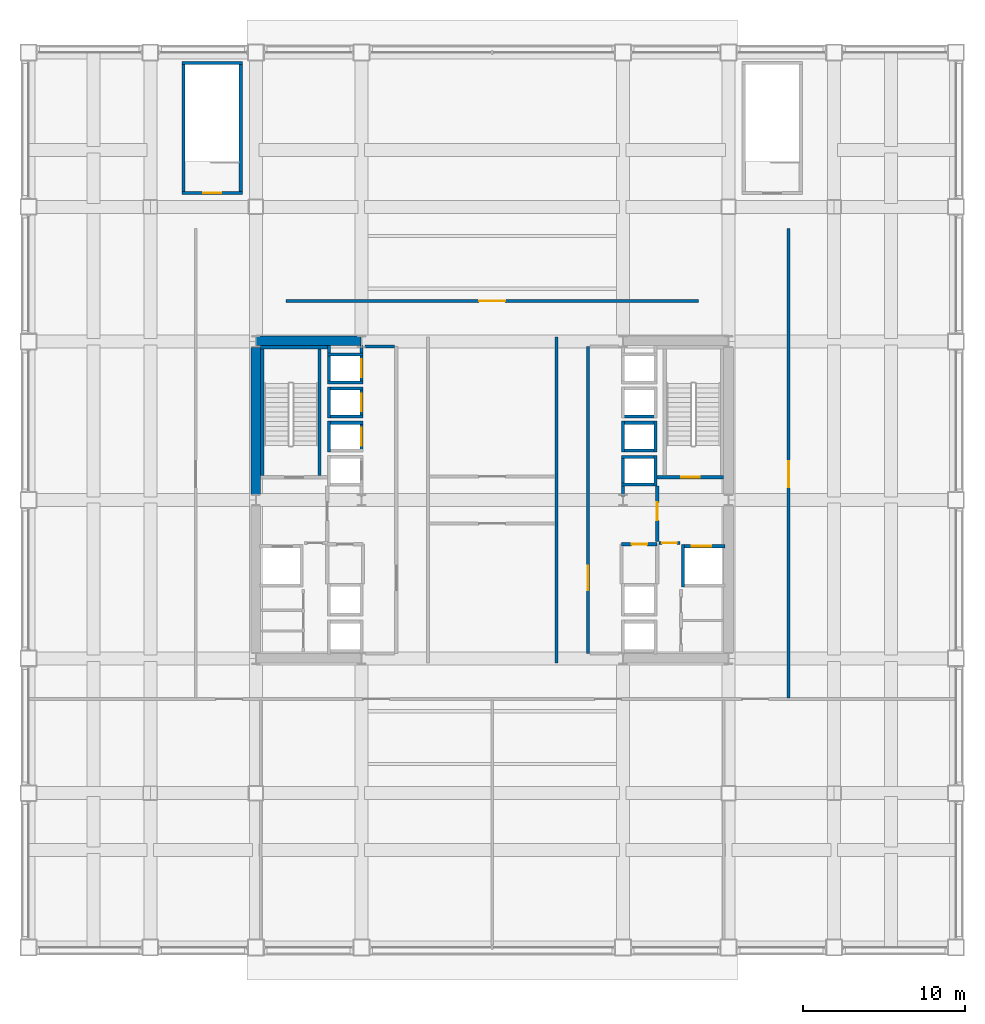
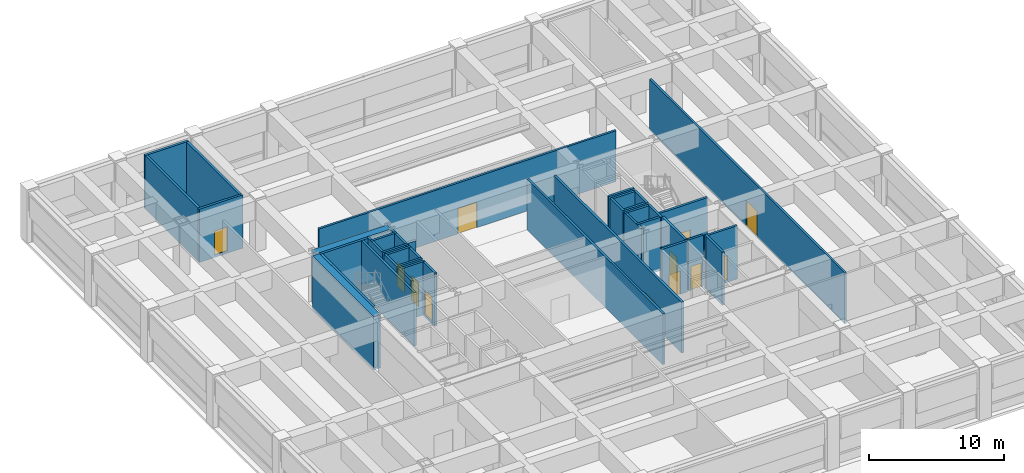
# One storey, part 28 of 30: 40 walls, 12 doors, 12 openings.
"""IFC4 building model written with IfcOpenShell, lengths in metres."""

from ifc_helpers import new_model, si_unit, direction, frame, frame_2d, origin, place, context, subcontext, project, spatial, rectangle, extrude, material, layer, layer_set, type_object, element, fill, save


model = new_model("IFC4")

# Units and contexts
model_context = context("Model", 3, precision=1e-05, world=origin(), true_north=direction((0.0, 1.0)))
body_context = subcontext(model_context, "Body", "Model", "MODEL_VIEW")
ifc_project = project(units=[si_unit("LENGTHUNIT", "METRE"), si_unit("AREAUNIT", "SQUARE_METRE"), si_unit("VOLUMEUNIT", "CUBIC_METRE"), si_unit("PLANEANGLEUNIT", "RADIAN"), si_unit("MASSUNIT", "GRAM", prefix="KILO")], contexts=[model_context])

# Site, building, storey
site_placement = place(None, origin())
site = spatial("IfcSite", under=ifc_project, at=site_placement, CompositionType="ELEMENT")
building_placement = place(site_placement, origin())
building = spatial("IfcBuilding", under=site, at=building_placement, Name="Brelmoor Portico Tower", CompositionType="ELEMENT")
storey_placement = place(building_placement, frame((0.0, 0.0, 19.199951171875)))
storey = spatial("IfcBuildingStorey", under=building, at=storey_placement, Name="L04", CompositionType="ELEMENT", Elevation=19.199951171875)

# Walls
ifc_material_1 = material(Name="Concrete C60", Category="concrete")
ifc_layer_1 = layer(ifc_material_1, 0.60009765625)
ifc_layer_set_1 = layer_set([ifc_layer_1], Name="Concrete C60")
wall_type_1 = type_object("IfcWallType", Name="WL-CORE-600", PredefinedType="SHEAR", material=ifc_layer_set_1)
wall_1_placement = place(storey_placement, frame((-14.530029296875, 9.800048828125, -0.219970703125), z_axis=(0.0, 0.0, 1.0), x_axis=(1.0, 0.0, 0.0)))
element("IfcWall", 1, at=wall_1_placement, inside=storey, type_object=wall_type_1, Name="L04 WC North Shear Wall", PredefinedType="SHEAR", context=body_context, shape_type="SweptSolid", body=[
    extrude(rectangle(XDim=6.4599609375, YDim=0.60009765625, at=frame_2d((3.22998046875, 0.0))), origin(), (0.0, 0.0, 1.0), 4.820068359375),
])
wall_2_placement = place(storey_placement, frame((-14.550048828125, 0.35009765625, -0.219970703125), z_axis=(0.0, 0.0, 1.0), x_axis=(0.0, 1.0, 0.0)))
element("IfcWall", 2, at=wall_2_placement, inside=storey, type_object=wall_type_1, Name="L04 WC Outer North Shear Wall", PredefinedType="SHEAR", context=body_context, shape_type="SweptSolid", body=[
    extrude(rectangle(XDim=9.0498046875, YDim=0.60009765625, at=frame_2d((4.52490234375, 0.0))), origin(), (0.0, 0.0, 1.0), 4.820068359375),
])
ifc_material_2 = material(Name="Acoustic Corridor Fire Partition", Category="gypsum")
ifc_layer_2 = layer(ifc_material_2, 0.179931640625)
ifc_layer_set_2 = layer_set([ifc_layer_2], Name="Acoustic Corridor Fire Partition")
wall_type_2 = type_object("IfcWallType", Name="WL-PART-180", PredefinedType="PARTITIONING", material=ifc_layer_set_2)
wall_3_placement = place(storey_placement, frame((3.949951171875, -10.050048828125, 0.0), z_axis=(0.0, 0.0, 1.0), x_axis=(0.0, 1.0, 0.0)))
element("IfcWall", 3, at=wall_3_placement, inside=storey, type_object=wall_type_2, Name="L04 Central Hall East Wall", PredefinedType="PARTITIONING", context=body_context, shape_type="SweptSolid", body=[
    extrude(rectangle(XDim=20.10009765625, YDim=0.179931640625, at=frame_2d((10.050048828125, 0.0))), origin(), (0.0, 0.0, 1.0), 4.60009765625),
])

# Wall, opening, door
wall_4_placement = place(storey_placement, frame((-12.699951171875, 12.25, 0.0), z_axis=(0.0, 0.0, 1.0), x_axis=(1.0, 0.0, 0.0)))
wall_4 = element("IfcWall", 4, at=wall_4_placement, inside=storey, type_object=wall_type_2, Name="L04 North Bridge Exhibition Wall", PredefinedType="PARTITIONING", context=body_context, shape_type="SweptSolid", body=[
    extrude(rectangle(XDim=25.39990234375, YDim=0.179931640625, at=frame_2d((12.699951171875, 0.0))), origin(), (0.0, 0.0, 1.0), 4.60009765625),
])
opening_1_placement = place(wall_4_placement, frame((11.89990234375, 0.0, 0.0)))
opening_1 = element("IfcOpeningElement", 5, at=opening_1_placement, cuts=wall_4, Name="Opening D-PB1", PredefinedType="OPENING", context=body_context, shape_type="SweptSolid", body=[
    extrude(rectangle(XDim=1.60009765625, YDim=2.300048828125, at=frame_2d((0.800048828125, 1.14990234375))), frame((0.0, 0.099853515625, 0.0), z_axis=(0.0, -1.0, 0.0), x_axis=(1.0, 0.0, 0.0)), (0.0, 0.0, 1.0), 0.199951171875),
])
ifc_material_3 = material(Name="Double-Leaf Anodised Aluminium Hall Door", Category="aluminium")
door_type_1 = type_object("IfcDoorType", Name="DR-PUBLIC-1600", OperationType="NOTDEFINED", PredefinedType="DOOR", material=ifc_material_3)
door_1_placement = place(opening_1_placement, origin())
door_1 = element("IfcDoor", 6, at=door_1_placement, inside=storey, type_object=door_type_1, Name="D-0198 L04 Public Exhibition Studio Door", OperationType="DOUBLE_DOOR_SINGLE_SWING", OverallHeight=2.300048828125, OverallWidth=1.60009765625, PredefinedType="DOOR", context=body_context, shape_type="SweptSolid", body=[
    extrude(rectangle(XDim=1.60009765625, YDim=2.300048828125, at=frame_2d((0.800048828125, 1.14990234375))), frame((0.0, 0.02490234375, 0.0), z_axis=(0.0, -1.0, 0.0), x_axis=(1.0, 0.0, 0.0)), (0.0, 0.0, 1.0), 0.050048828125),
])
fill(opening_1, door_1)

wall_5_placement = place(storey_placement, frame((18.25, -12.199951171875, 0.0), z_axis=(0.0, 0.0, 1.0), x_axis=(0.0, 1.0, 0.0)))
wall_5 = element("IfcWall", 7, at=wall_5_placement, inside=storey, type_object=wall_type_2, Name="L04 E Bridge Wing Wall", PredefinedType="PARTITIONING", context=body_context, shape_type="SweptSolid", body=[
    extrude(rectangle(XDim=28.89990234375, YDim=0.179931640625, at=frame_2d((14.449951171875, 0.0))), origin(), (0.0, 0.0, 1.0), 4.60009765625),
])
opening_2_placement = place(wall_5_placement, frame((13.0, 0.0, 0.0)))
opening_2 = element("IfcOpeningElement", 8, at=opening_2_placement, cuts=wall_5, Name="Opening D-PB1", PredefinedType="OPENING", context=body_context, shape_type="SweptSolid", body=[
    extrude(rectangle(XDim=1.60009765625, YDim=2.300048828125, at=frame_2d((0.800048828125, 1.14990234375))), frame((0.0, 0.099853515625, 0.0), z_axis=(0.0, -1.0, 0.0), x_axis=(1.0, 0.0, 0.0)), (0.0, 0.0, 1.0), 0.199951171875),
])
door_2_placement = place(opening_2_placement, origin())
door_2 = element("IfcDoor", 9, at=door_2_placement, inside=storey, type_object=door_type_1, Name="D-0203 L04 E Engineering Studio Door", OperationType="DOUBLE_DOOR_SINGLE_SWING", OverallHeight=2.300048828125, OverallWidth=1.60009765625, PredefinedType="DOOR", context=body_context, shape_type="SweptSolid", body=[
    extrude(rectangle(XDim=1.60009765625, YDim=2.300048828125, at=frame_2d((0.800048828125, 1.14990234375))), frame((0.0, 0.02490234375, 0.0), z_axis=(0.0, -1.0, 0.0), x_axis=(1.0, 0.0, 0.0)), (0.0, 0.0, 1.0), 0.050048828125),
])
fill(opening_2, door_2)

# Wall
ifc_material_4 = material(Name="Double-Stud Gypsum Fire Partition", Category="gypsum")
ifc_layer_3 = layer(ifc_material_4, 0.199951171875)
ifc_layer_set_3 = layer_set([ifc_layer_3], Name="Double-Stud Gypsum Fire Partition")
wall_type_3 = type_object("IfcWallType", Name="WL-PART-200", PredefinedType="PARTITIONING", material=ifc_layer_set_3)
wall_6_placement = place(storey_placement, frame((-6.02001953125, 9.449951171875, 0.0), z_axis=(0.0, 0.0, 1.0), x_axis=(-1.0, 0.0, 0.0)))
element("IfcWall", 10, at=wall_6_placement, inside=storey, type_object=wall_type_3, Name="L04 W Lift Lobby North End Wall", PredefinedType="PARTITIONING", context=body_context, shape_type="SweptSolid", body=[
    extrude(rectangle(XDim=1.800048828125, YDim=0.199951171875, at=frame_2d((0.89990234375, 0.0))), origin(), (0.0, 0.0, 1.0), 2.920166015625),
])

# Wall, opening, door
wall_7_placement = place(storey_placement, frame((5.89990234375, -9.449951171875, 0.0), z_axis=(0.0, 0.0, 1.0), x_axis=(0.0, 1.0, 0.0)))
wall_7 = element("IfcWall", 11, at=wall_7_placement, inside=storey, type_object=wall_type_3, Name="L04 E Core Lobby Compartment Wall", PredefinedType="PARTITIONING", context=body_context, shape_type="SweptSolid", body=[
    extrude(rectangle(XDim=18.89990234375, YDim=0.199951171875, at=frame_2d((9.449951171875, 0.0))), origin(), (0.0, 0.0, 1.0), 4.60009765625),
])
opening_3_placement = place(wall_7_placement, frame((3.89990234375, 0.0, 0.0)))
opening_3 = element("IfcOpeningElement", 12, at=opening_3_placement, cuts=wall_7, Name="Opening D-LB1", PredefinedType="OPENING", context=body_context, shape_type="SweptSolid", body=[
    extrude(rectangle(XDim=1.5, YDim=2.199951171875, at=frame_2d((0.75, 1.10009765625))), frame((0.0, 0.10986328125, 0.0), z_axis=(0.0, -1.0, 0.0), x_axis=(1.0, 0.0, 0.0)), (0.0, 0.0, 1.0), 0.219970703125),
])
ifc_material_5 = material(Name="Double-Leaf Glazed Steel Fire Door", Category="steel")
door_type_2 = type_object("IfcDoorType", Name="DR-LOBBY-1500", OperationType="NOTDEFINED", PredefinedType="DOOR", material=ifc_material_5)
door_3_placement = place(opening_3_placement, origin())
door_3 = element("IfcDoor", 13, at=door_3_placement, inside=storey, type_object=door_type_2, Name="D-0216 L04 E Lift Lobby Main Door", OperationType="DOUBLE_DOOR_SINGLE_SWING", OverallHeight=2.199951171875, OverallWidth=1.5, PredefinedType="DOOR", context=body_context, shape_type="SweptSolid", body=[
    extrude(rectangle(XDim=1.5, YDim=2.199951171875, at=frame_2d((0.75, 1.10009765625))), frame((0.0, 0.02490234375, 0.0), z_axis=(0.0, -1.0, 0.0), x_axis=(1.0, 0.0, 0.0)), (0.0, 0.0, 1.0), 0.050048828125),
])
fill(opening_3, door_3)

wall_8_placement = place(storey_placement, frame((10.159912109375, -2.550048828125, 0.0), z_axis=(0.0, 0.0, 1.0), x_axis=(0.0, 1.0, 0.0)))
wall_8 = element("IfcWall", 14, at=wall_8_placement, inside=storey, type_object=wall_type_3, Name="L04 E Firefighting Lobby Wall", PredefinedType="PARTITIONING", context=body_context, shape_type="SweptSolid", body=[
    extrude(rectangle(XDim=3.400146484375, YDim=0.199951171875, at=frame_2d((1.7001953125, 0.0))), origin(), (0.0, 0.0, 1.0), 4.60009765625),
])
opening_4_placement = place(wall_8_placement, frame((1.300048828125, 0.0, 0.0)))
opening_4 = element("IfcOpeningElement", 15, at=opening_4_placement, cuts=wall_8, Name="Opening D-FR1", PredefinedType="OPENING", context=body_context, shape_type="SweptSolid", body=[
    extrude(rectangle(XDim=1.10009765625, YDim=2.14990234375, at=frame_2d((0.550048828125, 1.074951171875))), frame((0.0, 0.10986328125, 0.0), z_axis=(0.0, -1.0, 0.0), x_axis=(1.0, 0.0, 0.0)), (0.0, 0.0, 1.0), 0.219970703125),
])
ifc_material_6 = material(Name="Painted Galvanised Steel Fire Door", Category="steel")
door_type_3 = type_object("IfcDoorType", Name="DR-FIRE-1100", OperationType="NOTDEFINED", PredefinedType="DOOR", material=ifc_material_6)
door_4_placement = place(opening_4_placement, origin())
door_4 = element("IfcDoor", 16, at=door_4_placement, inside=storey, type_object=door_type_3, Name="D-0214 L04 E Firefighting Lobby Door", OperationType="SINGLE_SWING_LEFT", OverallHeight=2.14990234375, OverallWidth=1.10009765625, PredefinedType="DOOR", context=body_context, shape_type="SweptSolid", body=[
    extrude(rectangle(XDim=1.10009765625, YDim=2.14990234375, at=frame_2d((0.550048828125, 1.074951171875))), frame((0.0, 0.02490234375, 0.0), z_axis=(0.0, -1.0, 0.0), x_axis=(1.0, 0.0, 0.0)), (0.0, 0.0, 1.0), 0.050048828125),
])
fill(opening_4, door_4)

wall_9_placement = place(storey_placement, frame((10.280029296875, -2.64990234375, 0.0), z_axis=(0.0, 0.0, 1.0), x_axis=(1.0, 0.0, 0.0)))
wall_9 = element("IfcWall", 17, at=wall_9_placement, inside=storey, type_object=wall_type_3, Name="L04 E Firefighting Lobby South Wall", PredefinedType="PARTITIONING", context=body_context, shape_type="SweptSolid", body=[
    extrude(rectangle(XDim=1.27001953125, YDim=0.199951171875, at=frame_2d((0.635009765625, 0.0))), origin(), (0.0, 0.0, 1.0), 4.60009765625),
])
opening_5_placement = place(wall_9_placement, frame((0.18505859375, 0.0, 0.0)))
opening_5 = element("IfcOpeningElement", 18, at=opening_5_placement, cuts=wall_9, Name="Opening D-IN1", PredefinedType="OPENING", context=body_context, shape_type="SweptSolid", body=[
    extrude(rectangle(XDim=0.89990234375, YDim=2.14990234375, at=frame_2d((0.449951171875, 1.074951171875))), frame((0.0, 0.10986328125, 0.0), z_axis=(0.0, -1.0, 0.0), x_axis=(1.0, 0.0, 0.0)), (0.0, 0.0, 1.0), 0.219970703125),
])
ifc_material_7 = material(Name="Lacquered Timber Suite Door", Category="wood")
door_type_4 = type_object("IfcDoorType", Name="DR-INT-900", OperationType="NOTDEFINED", PredefinedType="DOOR", material=ifc_material_7)
door_5_placement = place(opening_5_placement, origin())
door_5 = element("IfcDoor", 19, at=door_5_placement, inside=storey, type_object=door_type_4, Name="D-0207 L04 E Core Service Vestibule Door", OperationType="SINGLE_SWING_RIGHT", OverallHeight=2.14990234375, OverallWidth=0.89990234375, PredefinedType="DOOR", context=body_context, shape_type="SweptSolid", body=[
    extrude(rectangle(XDim=0.89990234375, YDim=2.14990234375, at=frame_2d((0.449951171875, 1.074951171875))), frame((0.0, 0.02490234375, 0.0), z_axis=(0.0, -1.0, 0.0), x_axis=(1.0, 0.0, 0.0)), (0.0, 0.0, 1.0), 0.050048828125),
])
fill(opening_5, door_5)

wall_10_placement = place(storey_placement, frame((7.9599609375, -2.719970703125, 0.0), z_axis=(0.0, 0.0, 1.0), x_axis=(1.0, 0.0, 0.0)))
wall_10 = element("IfcWall", 20, at=wall_10_placement, inside=storey, type_object=wall_type_3, Name="L04 E Electrical Switchgear Closet Wall", PredefinedType="PARTITIONING", context=body_context, shape_type="SweptSolid", body=[
    extrude(rectangle(XDim=2.199951171875, YDim=0.199951171875, at=frame_2d((1.10009765625, 0.0))), origin(), (0.0, 0.0, 1.0), 4.60009765625),
])
opening_6_placement = place(wall_10_placement, frame((0.6201171875, 0.0, 0.0)))
opening_6 = element("IfcOpeningElement", 21, at=opening_6_placement, cuts=wall_10, Name="Opening D-FR4", PredefinedType="OPENING", context=body_context, shape_type="SweptSolid", body=[
    extrude(rectangle(XDim=0.949951171875, YDim=2.10009765625, at=frame_2d((0.47509765625, 1.050048828125))), frame((0.0, 0.10986328125, 0.0), z_axis=(0.0, -1.0, 0.0), x_axis=(1.0, 0.0, 0.0)), (0.0, 0.0, 1.0), 0.219970703125),
])
ifc_material_8 = material(Name="Painted Galvanised Steel Riser Door", Category="steel")
door_type_5 = type_object("IfcDoorType", Name="DR-FIRE-950", OperationType="NOTDEFINED", PredefinedType="DOOR", material=ifc_material_8)
door_6_placement = place(opening_6_placement, origin())
door_6 = element("IfcDoor", 22, at=door_6_placement, inside=storey, type_object=door_type_5, Name="D-0212 L04 E Electrical Switchgear Closet Door", OperationType="SINGLE_SWING_LEFT", OverallHeight=2.10009765625, OverallWidth=0.949951171875, PredefinedType="DOOR", context=body_context, shape_type="SweptSolid", body=[
    extrude(rectangle(XDim=0.949951171875, YDim=2.10009765625, at=frame_2d((0.47509765625, 1.050048828125))), frame((0.0, 0.02490234375, 0.0), z_axis=(0.0, -1.0, 0.0), x_axis=(1.0, 0.0, 0.0)), (0.0, 0.0, 1.0), 0.050048828125),
])
fill(opening_6, door_6)

ifc_material_9 = material(Name="Precast Concrete C40", Category="concrete")
ifc_layer_4 = layer(ifc_material_9, 0.18994140625)
ifc_layer_set_4 = layer_set([ifc_layer_4], Name="Precast Concrete C40")
wall_type_4 = type_object("IfcWallType", Name="WL-SHAFT-180", PredefinedType="SOLIDWALL", material=ifc_layer_set_4)
wall_11_placement = place(storey_placement, frame((-8.044921875, 2.949951171875, -0.219970703125), z_axis=(0.0, 0.0, 1.0), x_axis=(0.0, 1.0, 0.0)))
wall_11 = element("IfcWall", 23, at=wall_11_placement, inside=storey, type_object=wall_type_4, Name="L04 Lift PL2 Hoistway Front Wall", PredefinedType="SOLIDWALL", context=body_context, shape_type="SweptSolid", body=[
    extrude(rectangle(XDim=1.900146484375, YDim=0.18994140625, at=frame_2d((0.9501953125, 0.0))), origin(), (0.0, 0.0, 1.0), 4.820068359375),
])
opening_7_placement = place(wall_11_placement, frame((0.39990234375, 0.0, 0.219970703125)))
opening_7 = element("IfcOpeningElement", 24, at=opening_7_placement, cuts=wall_11, Name="Opening LD-01", PredefinedType="OPENING", context=body_context, shape_type="SweptSolid", body=[
    extrude(rectangle(XDim=1.10009765625, YDim=2.199951171875, at=frame_2d((0.550048828125, 1.10009765625))), frame((0.0, 0.10498046875, 0.0), z_axis=(0.0, -1.0, 0.0), x_axis=(1.0, 0.0, 0.0)), (0.0, 0.0, 1.0), 0.2099609375),
])
ifc_material_10 = material(Name="Brushed Stainless Steel Sliding Lift Door", Category="steel")
door_type_6 = type_object("IfcDoorType", Name="DR-LIFT-1100", OperationType="NOTDEFINED", PredefinedType="DOOR", material=ifc_material_10)
door_7_placement = place(opening_7_placement, origin())
door_7 = element("IfcDoor", 25, at=door_7_placement, inside=storey, type_object=door_type_6, Name="D-0225 L04 Lift PL2 Sliding Landing Door", OperationType="SLIDING_TO_LEFT", OverallHeight=2.199951171875, OverallWidth=1.10009765625, PredefinedType="DOOR", context=body_context, shape_type="SweptSolid", body=[
    extrude(rectangle(XDim=1.10009765625, YDim=2.199951171875, at=frame_2d((0.550048828125, 1.10009765625))), frame((0.0, 0.02490234375, 0.0), z_axis=(0.0, -1.0, 0.0), x_axis=(1.0, 0.0, 0.0)), (0.0, 0.0, 1.0), 0.050048828125),
])
fill(opening_7, door_7)

# Walls
wall_12_placement = place(storey_placement, frame((-10.054931640625, 2.949951171875, -0.219970703125), z_axis=(0.0, 0.0, 1.0), x_axis=(0.0, 1.0, 0.0)))
element("IfcWall", 26, at=wall_12_placement, inside=storey, type_object=wall_type_4, Name="L04 Lift PL2 Hoistway Back Wall", PredefinedType="SOLIDWALL", context=body_context, shape_type="SweptSolid", body=[
    extrude(rectangle(XDim=1.900146484375, YDim=0.18994140625, at=frame_2d((0.9501953125, 0.0))), origin(), (0.0, 0.0, 1.0), 4.820068359375),
])
wall_13_placement = place(storey_placement, frame((-10.14990234375, 4.7548828125, -0.219970703125), z_axis=(0.0, 0.0, 1.0), x_axis=(1.0, 0.0, 0.0)))
element("IfcWall", 27, at=wall_13_placement, inside=storey, type_object=wall_type_4, Name="L04 Lift PL2 Hoistway North Wall", PredefinedType="SOLIDWALL", context=body_context, shape_type="SweptSolid", body=[
    extrude(rectangle(XDim=2.199951171875, YDim=0.18994140625, at=frame_2d((1.10009765625, 0.0))), origin(), (0.0, 0.0, 1.0), 4.820068359375),
])

# Wall, opening, door
wall_14_placement = place(storey_placement, frame((-8.044921875, 5.050048828125, -0.219970703125), z_axis=(0.0, 0.0, 1.0), x_axis=(0.0, 1.0, 0.0)))
wall_14 = element("IfcWall", 28, at=wall_14_placement, inside=storey, type_object=wall_type_4, Name="L04 Lift PL3 Hoistway Front Wall", PredefinedType="SOLIDWALL", context=body_context, shape_type="SweptSolid", body=[
    extrude(rectangle(XDim=1.89990234375, YDim=0.18994140625, at=frame_2d((0.949951171875, 0.0))), origin(), (0.0, 0.0, 1.0), 4.820068359375),
])
opening_8_placement = place(wall_14_placement, frame((0.39990234375, 0.0, 0.219970703125)))
opening_8 = element("IfcOpeningElement", 29, at=opening_8_placement, cuts=wall_14, Name="Opening LD-01", PredefinedType="OPENING", context=body_context, shape_type="SweptSolid", body=[
    extrude(rectangle(XDim=1.10009765625, YDim=2.199951171875, at=frame_2d((0.550048828125, 1.10009765625))), frame((0.0, 0.10498046875, 0.0), z_axis=(0.0, -1.0, 0.0), x_axis=(1.0, 0.0, 0.0)), (0.0, 0.0, 1.0), 0.2099609375),
])
door_8_placement = place(opening_8_placement, origin())
door_8 = element("IfcDoor", 30, at=door_8_placement, inside=storey, type_object=door_type_6, Name="D-0226 L04 Lift PL3 Sliding Landing Door", OperationType="SLIDING_TO_LEFT", OverallHeight=2.199951171875, OverallWidth=1.10009765625, PredefinedType="DOOR", context=body_context, shape_type="SweptSolid", body=[
    extrude(rectangle(XDim=1.10009765625, YDim=2.199951171875, at=frame_2d((0.550048828125, 1.10009765625))), frame((0.0, 0.02490234375, 0.0), z_axis=(0.0, -1.0, 0.0), x_axis=(1.0, 0.0, 0.0)), (0.0, 0.0, 1.0), 0.050048828125),
])
fill(opening_8, door_8)

# Walls
wall_15_placement = place(storey_placement, frame((-10.054931640625, 5.050048828125, -0.219970703125), z_axis=(0.0, 0.0, 1.0), x_axis=(0.0, 1.0, 0.0)))
element("IfcWall", 31, at=wall_15_placement, inside=storey, type_object=wall_type_4, Name="L04 Lift PL3 Hoistway Back Wall", PredefinedType="SOLIDWALL", context=body_context, shape_type="SweptSolid", body=[
    extrude(rectangle(XDim=1.89990234375, YDim=0.18994140625, at=frame_2d((0.949951171875, 0.0))), origin(), (0.0, 0.0, 1.0), 4.820068359375),
])
for number, where, z_axis, x_axis, name in (
    (32, (-10.14990234375, 6.85498046875, -0.219970703125), (0.0, 0.0, 1.0), (1.0, 0.0, 0.0), "L04 Lift PL3 Hoistway North Wall"),
    (33, (-10.14990234375, 5.14501953125, -0.219970703125), (0.0, 0.0, 1.0), (1.0, 0.0, 0.0), "L04 Lift PL3 Hoistway South Wall"),
):
    element("IfcWall", number, at=place(storey_placement, frame(where, z_axis=z_axis, x_axis=x_axis)), inside=storey, type_object=wall_type_4, Name=name, PredefinedType="SOLIDWALL", context=body_context, shape_type="SweptSolid", body=[
        extrude(rectangle(XDim=2.199951171875, YDim=0.18994140625, at=frame_2d((1.10009765625, 0.0))), origin(), (0.0, 0.0, 1.0), 4.820068359375),
    ])

# Wall, opening, door
wall_16_placement = place(storey_placement, frame((-8.044921875, 7.14990234375, -0.219970703125), z_axis=(0.0, 0.0, 1.0), x_axis=(0.0, 1.0, 0.0)))
wall_16 = element("IfcWall", 34, at=wall_16_placement, inside=storey, type_object=wall_type_4, Name="L04 Lift PL4 Hoistway Front Wall", PredefinedType="SOLIDWALL", context=body_context, shape_type="SweptSolid", body=[
    extrude(rectangle(XDim=2.3701171875, YDim=0.18994140625, at=frame_2d((1.18505859375, 0.0))), origin(), (0.0, 0.0, 1.0), 4.820068359375),
])
opening_9_placement = place(wall_16_placement, frame((0.39990234375, 0.0, 0.219970703125)))
opening_9 = element("IfcOpeningElement", 35, at=opening_9_placement, cuts=wall_16, Name="Opening LD-01", PredefinedType="OPENING", context=body_context, shape_type="SweptSolid", body=[
    extrude(rectangle(XDim=1.10009765625, YDim=2.199951171875, at=frame_2d((0.550048828125, 1.10009765625))), frame((0.0, 0.10498046875, 0.0), z_axis=(0.0, -1.0, 0.0), x_axis=(1.0, 0.0, 0.0)), (0.0, 0.0, 1.0), 0.2099609375),
])
door_9_placement = place(opening_9_placement, origin())
door_9 = element("IfcDoor", 36, at=door_9_placement, inside=storey, type_object=door_type_6, Name="D-0227 L04 Lift PL4 Sliding Landing Door", OperationType="SLIDING_TO_LEFT", OverallHeight=2.199951171875, OverallWidth=1.10009765625, PredefinedType="DOOR", context=body_context, shape_type="SweptSolid", body=[
    extrude(rectangle(XDim=1.10009765625, YDim=2.199951171875, at=frame_2d((0.550048828125, 1.10009765625))), frame((0.0, 0.02490234375, 0.0), z_axis=(0.0, -1.0, 0.0), x_axis=(1.0, 0.0, 0.0)), (0.0, 0.0, 1.0), 0.050048828125),
])
fill(opening_9, door_9)

# Walls
wall_17_placement = place(storey_placement, frame((-10.054931640625, 7.14990234375, -0.219970703125), z_axis=(0.0, 0.0, 1.0), x_axis=(0.0, 1.0, 0.0)))
element("IfcWall", 37, at=wall_17_placement, inside=storey, type_object=wall_type_4, Name="L04 Lift PL4 Hoistway Back Wall", PredefinedType="SOLIDWALL", context=body_context, shape_type="SweptSolid", body=[
    extrude(rectangle(XDim=2.3701171875, YDim=0.18994140625, at=frame_2d((1.18505859375, 0.0))), origin(), (0.0, 0.0, 1.0), 4.820068359375),
])
for number, where, z_axis, x_axis, name in (
    (38, (-10.14990234375, 8.955078125, -0.219970703125), (0.0, 0.0, 1.0), (1.0, 0.0, 0.0), "L04 Lift PL4 Hoistway North Wall"),
    (39, (-10.14990234375, 7.2451171875, -0.219970703125), (0.0, 0.0, 1.0), (1.0, 0.0, 0.0), "L04 Lift PL4 Hoistway South Wall"),
):
    element("IfcWall", number, at=place(storey_placement, frame(where, z_axis=z_axis, x_axis=x_axis)), inside=storey, type_object=wall_type_4, Name=name, PredefinedType="SOLIDWALL", context=body_context, shape_type="SweptSolid", body=[
        extrude(rectangle(XDim=2.199951171875, YDim=0.18994140625, at=frame_2d((1.10009765625, 0.0))), origin(), (0.0, 0.0, 1.0), 4.820068359375),
    ])
wall_18_placement = place(storey_placement, frame((8.044921875, 0.2099609375, -0.219970703125), z_axis=(0.0, 0.0, 1.0), x_axis=(0.0, 1.0, 0.0)))
element("IfcWall", 40, at=wall_18_placement, inside=storey, type_object=wall_type_4, Name="L04 Lift PM1 Hoistway Front Wall", PredefinedType="SOLIDWALL", context=body_context, shape_type="SweptSolid", body=[
    extrude(rectangle(XDim=2.5400390625, YDim=0.18994140625, at=frame_2d((1.27001953125, 0.0))), origin(), (0.0, 0.0, 1.0), 4.820068359375),
])
wall_19_placement = place(storey_placement, frame((10.054931640625, 0.85009765625, -0.219970703125), z_axis=(0.0, 0.0, 1.0), x_axis=(0.0, 1.0, 0.0)))
element("IfcWall", 41, at=wall_19_placement, inside=storey, type_object=wall_type_4, Name="L04 Lift PM1 Hoistway Back Wall", PredefinedType="SOLIDWALL", context=body_context, shape_type="SweptSolid", body=[
    extrude(rectangle(XDim=1.89990234375, YDim=0.18994140625, at=frame_2d((0.949951171875, 0.0))), origin(), (0.0, 0.0, 1.0), 4.820068359375),
])
for number, where, z_axis, x_axis, name in (
    (42, (7.949951171875, 2.655029296875, -0.219970703125), (0.0, 0.0, 1.0), (1.0, 0.0, 0.0), "L04 Lift PM1 Hoistway North Wall"),
    (43, (7.949951171875, 0.945068359375, -0.219970703125), (0.0, 0.0, 1.0), (1.0, 0.0, 0.0), "L04 Lift PM1 Hoistway South Wall"),
):
    element("IfcWall", number, at=place(storey_placement, frame(where, z_axis=z_axis, x_axis=x_axis)), inside=storey, type_object=wall_type_4, Name=name, PredefinedType="SOLIDWALL", context=body_context, shape_type="SweptSolid", body=[
        extrude(rectangle(XDim=2.199951171875, YDim=0.18994140625, at=frame_2d((1.10009765625, 0.0))), origin(), (0.0, 0.0, 1.0), 4.820068359375),
    ])
for number, where, z_axis, x_axis, name in (
    (44, (8.044921875, 2.949951171875, -0.219970703125), (0.0, 0.0, 1.0), (0.0, 1.0, 0.0), "L04 Lift PM2 Hoistway Front Wall"),
    (45, (10.054931640625, 2.949951171875, -0.219970703125), (0.0, 0.0, 1.0), (0.0, 1.0, 0.0), "L04 Lift PM2 Hoistway Back Wall"),
):
    element("IfcWall", number, at=place(storey_placement, frame(where, z_axis=z_axis, x_axis=x_axis)), inside=storey, type_object=wall_type_4, Name=name, PredefinedType="SOLIDWALL", context=body_context, shape_type="SweptSolid", body=[
        extrude(rectangle(XDim=1.900146484375, YDim=0.18994140625, at=frame_2d((0.9501953125, 0.0))), origin(), (0.0, 0.0, 1.0), 4.820068359375),
    ])
for number, where, z_axis, x_axis, name in (
    (46, (7.949951171875, 4.7548828125, -0.219970703125), (0.0, 0.0, 1.0), (1.0, 0.0, 0.0), "L04 Lift PM2 Hoistway North Wall"),
    (47, (7.949951171875, 3.044921875, -0.219970703125), (0.0, 0.0, 1.0), (1.0, 0.0, 0.0), "L04 Lift PM2 Hoistway South Wall"),
    (48, (7.949951171875, 5.14501953125, -0.219970703125), (0.0, 0.0, 1.0), (1.0, 0.0, 0.0), "L04 Lift PM3 Hoistway South Wall"),
):
    element("IfcWall", number, at=place(storey_placement, frame(where, z_axis=z_axis, x_axis=x_axis)), inside=storey, type_object=wall_type_4, Name=name, PredefinedType="SOLIDWALL", context=body_context, shape_type="SweptSolid", body=[
        extrude(rectangle(XDim=2.199951171875, YDim=0.18994140625, at=frame_2d((1.10009765625, 0.0))), origin(), (0.0, 0.0, 1.0), 4.820068359375),
    ])

# Wall, opening, door
wall_20_placement = place(storey_placement, frame((11.64990234375, -2.844970703125, -0.219970703125), z_axis=(0.0, 0.0, 1.0), x_axis=(1.0, 0.0, 0.0)))
wall_20 = element("IfcWall", 49, at=wall_20_placement, inside=storey, type_object=wall_type_4, Name="L04 Lift FF2 Hoistway Front Wall", PredefinedType="SOLIDWALL", context=body_context, shape_type="SweptSolid", body=[
    extrude(rectangle(XDim=2.68017578125, YDim=0.18994140625, at=frame_2d((1.340087890625, 0.0))), origin(), (0.0, 0.0, 1.0), 4.820068359375),
])
opening_10_placement = place(wall_20_placement, frame((0.64990234375, 0.0, 0.219970703125)))
opening_10 = element("IfcOpeningElement", 50, at=opening_10_placement, cuts=wall_20, Name="Opening LD-02", PredefinedType="OPENING", context=body_context, shape_type="SweptSolid", body=[
    extrude(rectangle(XDim=1.199951171875, YDim=2.199951171875, at=frame_2d((0.60009765625, 1.10009765625))), frame((0.0, 0.10498046875, 0.0), z_axis=(0.0, -1.0, 0.0), x_axis=(1.0, 0.0, 0.0)), (0.0, 0.0, 1.0), 0.2099609375),
])
ifc_material_11 = material(Name="Brushed Stainless Steel Firefighting Lift Door", Category="steel")
door_type_7 = type_object("IfcDoorType", Name="DR-LIFT-1200", OperationType="NOTDEFINED", PredefinedType="DOOR", material=ifc_material_11)
door_10_placement = place(opening_10_placement, origin())
door_10 = element("IfcDoor", 51, at=door_10_placement, inside=storey, type_object=door_type_7, Name="D-0223 L04 Lift FF2 Sliding Landing Door", OperationType="SLIDING_TO_LEFT", OverallHeight=2.199951171875, OverallWidth=1.199951171875, PredefinedType="DOOR", context=body_context, shape_type="SweptSolid", body=[
    extrude(rectangle(XDim=1.199951171875, YDim=2.199951171875, at=frame_2d((0.60009765625, 1.10009765625))), frame((0.0, 0.02490234375, 0.0), z_axis=(0.0, -1.0, 0.0), x_axis=(1.0, 0.0, 0.0)), (0.0, 0.0, 1.0), 0.050048828125),
])
fill(opening_10, door_10)

# Walls
wall_21_placement = place(storey_placement, frame((11.7451171875, -5.35009765625, -0.219970703125), z_axis=(0.0, 0.0, 1.0), x_axis=(0.0, 1.0, 0.0)))
element("IfcWall", 52, at=wall_21_placement, inside=storey, type_object=wall_type_4, Name="L04 Firefighting Lift FF2 Inner Wall", PredefinedType="SOLIDWALL", context=body_context, shape_type="SweptSolid", body=[
    extrude(rectangle(XDim=2.60009765625, YDim=0.18994140625, at=frame_2d((1.300048828125, 0.0))), origin(), (0.0, 0.0, 1.0), 4.820068359375),
])
ifc_material_12 = material(Name="Concrete C40", Category="concrete")
ifc_layer_5 = layer(ifc_material_12, 0.199951171875)
ifc_layer_set_5 = layer_set([ifc_layer_5], Name="Concrete C40")
wall_type_5 = type_object("IfcWallType", Name="WL-SHAFT-RC200", PredefinedType="SOLIDWALL", material=ifc_layer_set_5)
wall_22_placement = place(storey_placement, frame((-14.14990234375, 1.5, -0.219970703125), z_axis=(0.0, 0.0, 1.0), x_axis=(0.0, 1.0, 0.0)))
element("IfcWall", 53, at=wall_22_placement, inside=storey, type_object=wall_type_5, Name="L04 ST-W Structural Stair Wall Outer", PredefinedType="SOLIDWALL", context=body_context, shape_type="SweptSolid", body=[
    extrude(rectangle(XDim=7.800048828125, YDim=0.199951171875, at=frame_2d((3.89990234375, 0.0))), origin(), (0.0, 0.0, 1.0), 4.820068359375),
])
wall_23_placement = place(storey_placement, frame((-14.25, 9.39990234375, -0.219970703125), z_axis=(0.0, 0.0, 1.0), x_axis=(1.0, 0.0, 0.0)))
element("IfcWall", 54, at=wall_23_placement, inside=storey, type_object=wall_type_5, Name="L04 ST-W Structural Stair Wall N", PredefinedType="SOLIDWALL", context=body_context, shape_type="SweptSolid", body=[
    extrude(rectangle(XDim=4.10009765625, YDim=0.199951171875, at=frame_2d((2.050048828125, 0.0))), origin(), (0.0, 0.0, 1.0), 4.820068359375),
])
wall_24_placement = place(storey_placement, frame((-10.6298828125, 1.5, -0.219970703125), z_axis=(0.0, 0.0, 1.0), x_axis=(0.0, 1.0, 0.0)))
element("IfcWall", 55, at=wall_24_placement, inside=storey, type_object=wall_type_5, Name="L04 ST-W Structural Stair Wall Inner", PredefinedType="SOLIDWALL", context=body_context, shape_type="SweptSolid", body=[
    extrude(rectangle(XDim=7.800048828125, YDim=0.199951171875, at=frame_2d((3.89990234375, 0.0))), origin(), (0.0, 0.0, 1.0), 4.820068359375),
])

# Wall, opening, door
wall_25_placement = place(storey_placement, frame((10.14990234375, 1.39990234375, -0.219970703125), z_axis=(0.0, 0.0, 1.0), x_axis=(1.0, 0.0, 0.0)))
wall_25 = element("IfcWall", 56, at=wall_25_placement, inside=storey, type_object=wall_type_5, Name="L04 ST-E Structural Stair Wall S", PredefinedType="SOLIDWALL", context=body_context, shape_type="SweptSolid", body=[
    extrude(rectangle(XDim=4.10009765625, YDim=0.199951171875, at=frame_2d((2.050048828125, 0.0))), origin(), (0.0, 0.0, 1.0), 4.820068359375),
])
opening_11_placement = place(wall_25_placement, frame((1.5, 0.0, 0.219970703125)))
opening_11 = element("IfcOpeningElement", 57, at=opening_11_placement, cuts=wall_25, Name="Opening D-ST1", PredefinedType="OPENING", context=body_context, shape_type="SweptSolid", body=[
    extrude(rectangle(XDim=1.1201171875, YDim=2.179931640625, at=frame_2d((0.56005859375, 1.08984375))), frame((0.0, 0.10986328125, 0.0), z_axis=(0.0, -1.0, 0.0), x_axis=(1.0, 0.0, 0.0)), (0.0, 0.0, 1.0), 0.219970703125),
])
door_type_8 = type_object("IfcDoorType", Name="DR-STAIR-1100", OperationType="NOTDEFINED", PredefinedType="DOOR", material=ifc_material_6)
door_11_placement = place(opening_11_placement, origin())
door_11 = element("IfcDoor", 58, at=door_11_placement, inside=storey, type_object=door_type_8, Name="D-0218 L04 ST-E Protected Exit Stair Door", OperationType="SINGLE_SWING_RIGHT", OverallHeight=2.179931640625, OverallWidth=1.1201171875, PredefinedType="DOOR", context=body_context, shape_type="SweptSolid", body=[
    extrude(rectangle(XDim=1.1201171875, YDim=2.179931640625, at=frame_2d((0.56005859375, 1.08984375))), frame((0.0, 0.02490234375, 0.0), z_axis=(0.0, -1.0, 0.0), x_axis=(1.0, 0.0, 0.0)), (0.0, 0.0, 1.0), 0.050048828125),
])
fill(opening_11, door_11)

wall_26_placement = place(storey_placement, frame((-19.10009765625, 18.89990234375, -0.219970703125), z_axis=(0.0, 0.0, 1.0), x_axis=(1.0, 0.0, 0.0)))
wall_26 = element("IfcWall", 59, at=wall_26_placement, inside=storey, type_object=wall_type_5, Name="L04 ST-P1 Structural Stair Wall S", PredefinedType="SOLIDWALL", context=body_context, shape_type="SweptSolid", body=[
    extrude(rectangle(XDim=3.72021484375, YDim=0.199951171875, at=frame_2d((1.860107421875, 0.0))), origin(), (0.0, 0.0, 1.0), 4.820068359375),
])
opening_12_placement = place(wall_26_placement, frame((1.300048828125, 0.0, 0.219970703125)))
opening_12 = element("IfcOpeningElement", 60, at=opening_12_placement, cuts=wall_26, Name="Opening D-ST1", PredefinedType="OPENING", context=body_context, shape_type="SweptSolid", body=[
    extrude(rectangle(XDim=1.1201171875, YDim=2.179931640625, at=frame_2d((0.56005859375, 1.08984375))), frame((0.0, 0.10986328125, 0.0), z_axis=(0.0, -1.0, 0.0), x_axis=(1.0, 0.0, 0.0)), (0.0, 0.0, 1.0), 0.219970703125),
])
door_12_placement = place(opening_12_placement, origin())
door_12 = element("IfcDoor", 61, at=door_12_placement, inside=storey, type_object=door_type_8, Name="D-0219 L04 ST-P1 Podium Exit Stair Door", OperationType="SINGLE_SWING_LEFT", OverallHeight=2.179931640625, OverallWidth=1.1201171875, PredefinedType="DOOR", context=body_context, shape_type="SweptSolid", body=[
    extrude(rectangle(XDim=1.1201171875, YDim=2.179931640625, at=frame_2d((0.56005859375, 1.08984375))), frame((0.0, 0.02490234375, 0.0), z_axis=(0.0, -1.0, 0.0), x_axis=(1.0, 0.0, 0.0)), (0.0, 0.0, 1.0), 0.050048828125),
])
fill(opening_12, door_12)

# Walls
wall_27_placement = place(storey_placement, frame((-19.10009765625, 26.89990234375, -0.219970703125), z_axis=(0.0, 0.0, 1.0), x_axis=(1.0, 0.0, 0.0)))
element("IfcWall", 62, at=wall_27_placement, inside=storey, type_object=wall_type_5, Name="L04 ST-P1 Structural Stair Wall N", PredefinedType="SOLIDWALL", context=body_context, shape_type="SweptSolid", body=[
    extrude(rectangle(XDim=3.72021484375, YDim=0.199951171875, at=frame_2d((1.860107421875, 0.0))), origin(), (0.0, 0.0, 1.0), 4.820068359375),
])
for number, where, z_axis, x_axis, name in (
    (63, (-19.0, 19.0, -0.219970703125), (0.0, 0.0, 1.0), (0.0, 1.0, 0.0), "L04 ST-P1 Structural Stair Wall W"),
    (64, (-15.47998046875, 19.0, -0.219970703125), (0.0, 0.0, 1.0), (0.0, 1.0, 0.0), "L04 ST-P1 Structural Stair Wall E"),
):
    element("IfcWall", number, at=place(storey_placement, frame(where, z_axis=z_axis, x_axis=x_axis)), inside=storey, type_object=wall_type_5, Name=name, PredefinedType="SOLIDWALL", context=body_context, shape_type="SweptSolid", body=[
        extrude(rectangle(XDim=7.800048828125, YDim=0.199951171875, at=frame_2d((3.89990234375, 0.0))), origin(), (0.0, 0.0, 1.0), 4.820068359375),
    ])

save(model, "model.ifc")
